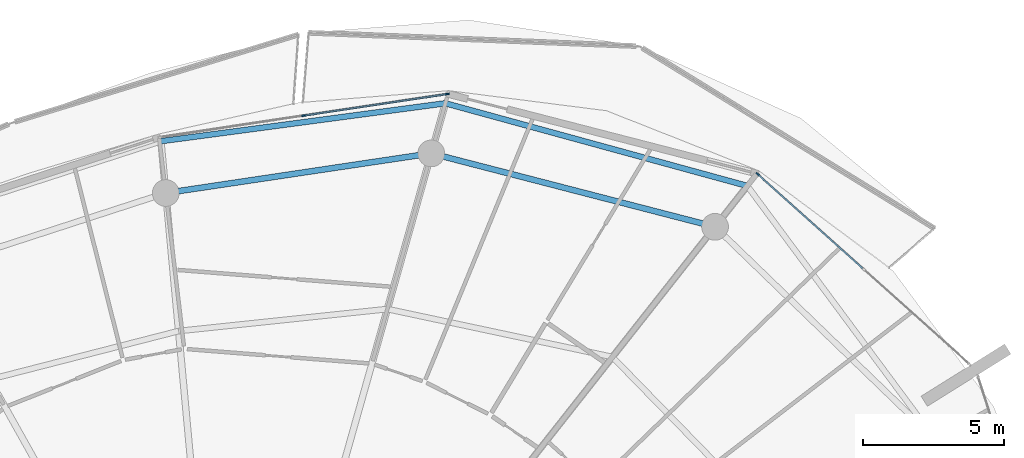
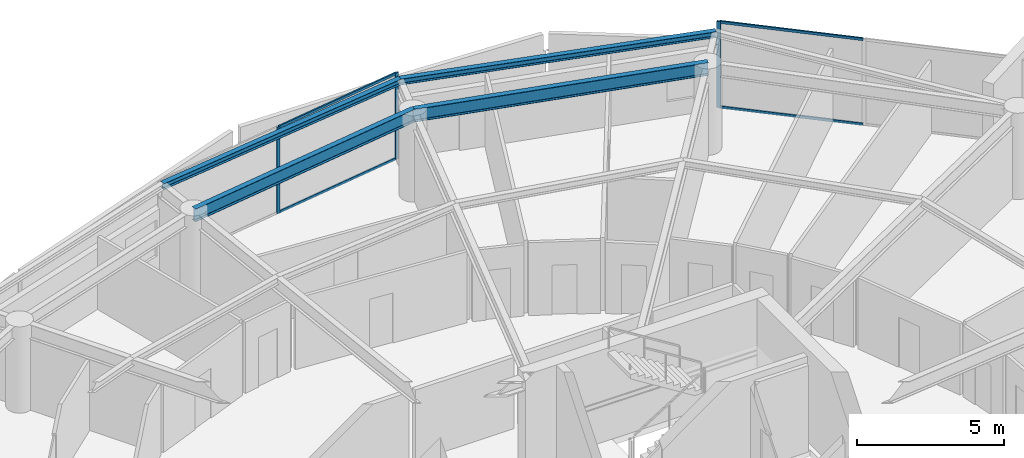
# One storey, part 15 of 29: 7 members, 4 beams, 2 elements without a shape of their own.
"""IFC4 building model written with IfcOpenShell, lengths in metres."""

from ifc_helpers import new_model, si_unit, direction, frame, origin, origin_2d, place, context, subcontext, project, spatial, rectangle, i_section, extrude, material, layer, layer_set, material_profile, profile_set, type_object, element, aggregate, save


model = new_model("IFC4")

# Units and contexts
model_context = context("Model", 3, precision=1e-05, world=origin(), true_north=direction((0.0, 1.0)))
body_context = subcontext(model_context, "Body", "Model", "MODEL_VIEW")
ifc_project = project(units=[si_unit("LENGTHUNIT", "METRE"), si_unit("AREAUNIT", "SQUARE_METRE"), si_unit("VOLUMEUNIT", "CUBIC_METRE"), si_unit("PLANEANGLEUNIT", "RADIAN"), si_unit("MASSUNIT", "GRAM", prefix="KILO")], contexts=[model_context])

# Site, building, storey
site_placement = place(None, origin())
site = spatial("IfcSite", under=ifc_project, at=site_placement, CompositionType="ELEMENT")
building_placement = place(site_placement, origin())
building = spatial("IfcBuilding", under=site, at=building_placement, Name="Kazma Halo Residences", CompositionType="ELEMENT")
storey_placement = place(building_placement, frame((0.0, 0.0, 286.75)))
storey = spatial("IfcBuildingStorey", under=building, at=storey_placement, Name="L72", CompositionType="ELEMENT", Elevation=286.75)

# Beams
ifc_material_1 = material(Name="Steel S355", Category="steel")
ifc_material_profile_1 = material_profile(ifc_material_1, i_section(OverallWidth=0.201904296875, OverallDepth=0.2470703125, WebThickness=0.00732421875, FlangeThickness=0.010986328125, FilletRadius=0.011962890625, at=origin_2d()), Name="W250x49.1")
ifc_profile_set_1 = profile_set([ifc_material_profile_1], Name="Steel S355")
beam_type_1 = type_object("IfcBeamType", Name="BM-BAL-CANT", PredefinedType="BEAM", material=ifc_profile_set_1)
beam_1_placement = place(storey_placement, frame((65.992431640625, 64.823486328125, 3.466552734375), z_axis=(-0.964514665976, 0.264029277006, 0.0), x_axis=(-0.264029277006, -0.964514665976, 0.0)))
element("IfcBeam", 1, at=beam_1_placement, inside=storey, type_object=beam_type_1, Name="L72 wave-balcony tie beam 02", PredefinedType="BEAM", context=body_context, shape_type="SweptSolid", body=[
    extrude(i_section(OverallWidth=0.201904296875, OverallDepth=0.2470703125, WebThickness=0.00732421875, FlangeThickness=0.010986328125, FilletRadius=0.011962890625, at=origin_2d()), origin(), (0.0, 0.0, 1.0), 11.1220703125),
])
beam_2_placement = place(storey_placement, frame((55.26513671875, 67.760009765625, 3.466552734375), z_axis=(-0.991234590706, -0.132113535217, 0.0), x_axis=(0.132113535217, -0.991234590706, 0.0)))
element("IfcBeam", 2, at=beam_2_placement, inside=storey, type_object=beam_type_1, Name="L72 wave-balcony tie beam 03", PredefinedType="BEAM", context=body_context, shape_type="SweptSolid", body=[
    extrude(i_section(OverallWidth=0.201904296875, OverallDepth=0.2470703125, WebThickness=0.00732421875, FlangeThickness=0.010986328125, FilletRadius=0.011962890625, at=origin_2d()), origin(), (0.0, 0.0, 1.0), 10.197021484375),
])
ifc_material_profile_2 = material_profile(ifc_material_1, i_section(OverallWidth=0.208984375, OverallDepth=0.532958984375, WebThickness=0.01025390625, FlangeThickness=0.015625, FilletRadius=0.01611328125, at=origin_2d()), Name="W530x92")
ifc_profile_set_2 = profile_set([ifc_material_profile_2], Name="Steel S355")
beam_type_2 = type_object("IfcBeamType", Name="BM-SPN-W530", PredefinedType="BEAM", material=ifc_profile_set_2)
beam_3_placement = place(storey_placement, frame((64.84716796875, 63.37060546875, 3.323486328125), z_axis=(-0.968126042852, 0.250463500639, 0.0), x_axis=(-0.250463500639, -0.968126042852, 0.0)))
element("IfcBeam", 3, at=beam_3_placement, inside=storey, type_object=beam_type_2, Name="L72 perimeter ring beam 02", PredefinedType="BEAM", context=body_context, shape_type="SweptSolid", body=[
    extrude(i_section(OverallWidth=0.208984375, OverallDepth=0.532958984375, WebThickness=0.01025390625, FlangeThickness=0.015625, FilletRadius=0.01611328125, at=origin_2d()), origin(), (0.0, 0.0, 1.0), 10.416259765625),
])
beam_4_placement = place(storey_placement, frame((54.762939453125, 65.9794921875, 3.323486328125), z_axis=(-0.989035441627, -0.147678350495, 0.0), x_axis=(0.147678350495, -0.989035441627, 0.0)))
element("IfcBeam", 4, at=beam_4_placement, inside=storey, type_object=beam_type_2, Name="L72 perimeter ring beam 03", PredefinedType="BEAM", context=body_context, shape_type="SweptSolid", body=[
    extrude(i_section(OverallWidth=0.208984375, OverallDepth=0.532958984375, WebThickness=0.01025390625, FlangeThickness=0.015625, FilletRadius=0.01611328125, at=origin_2d()), origin(), (0.0, 0.0, 1.0), 9.538818359375),
])

# Curtain wall, member
ifc_material_2 = material(Name="Aluminium AW-6063 T6 and Triple-Silver Low-E Glass", Category="aluminium")
ifc_layer = layer(ifc_material_2, 0.139892578125)
ifc_layer_set = layer_set([ifc_layer], Name="Aluminium AW-6063 T6 and Triple-Silver Low-E Glass")
curtain_wall_type = type_object("IfcCurtainWallType", Name="CW-SYS-5", PredefinedType="NOTDEFINED", material=ifc_layer_set)
curtain_wall_1_placement = place(storey_placement, origin())
curtain_wall_1 = element("IfcCurtainWall", 5, at=curtain_wall_1_placement, inside=storey, type_object=curtain_wall_type, Name="L72 unitised curtain wall B01", PredefinedType="NOTDEFINED")
ifc_material_3 = material(Name="Aluminium AW-6063 T6", Category="aluminium")
ifc_material_profile_3 = material_profile(ifc_material_3, rectangle(XDim=0.06005859375, YDim=0.139892578125, at=origin_2d()), Name="CWM-60x140")
ifc_profile_set_3 = profile_set([ifc_material_profile_3], Name="Aluminium AW-6063 T6")
member_type_1 = type_object("IfcMemberType", Name="CW-SYS-5-MUL", PredefinedType="MULLION", material=ifc_profile_set_3)
member_1_placement = place(storey_placement, frame((66.3603515625, 65.241455078125, 0.0), z_axis=(0.0, 0.0, 1.0), x_axis=(-0.667804826958, -0.744336424671, 0.0)))
member_1 = element("IfcMember", 6, at=member_1_placement, type_object=member_type_1, Name="CWS-5 mullion 3", PredefinedType="MULLION", context=body_context, shape_type="SweptSolid", body=[
    extrude(rectangle(XDim=0.06005859375, YDim=0.139892578125, at=origin_2d()), origin(), (0.0, 0.0, 1.0), 3.590087890625),
])

# Curtain wall, members
curtain_wall_2_placement = place(storey_placement, origin())
curtain_wall_2 = element("IfcCurtainWall", 7, at=curtain_wall_2_placement, inside=storey, type_object=curtain_wall_type, Name="L72 unitised curtain wall B03", PredefinedType="NOTDEFINED")
member_2_placement = place(storey_placement, frame((55.328857421875, 68.087158203125, 0.0), z_axis=(0.0, 0.0, 1.0), x_axis=(0.148697080374, -0.988882792998, 0.0)))
member_2 = element("IfcMember", 8, at=member_2_placement, type_object=member_type_1, Name="CWS-5 mullion 1", PredefinedType="MULLION", context=body_context, shape_type="SweptSolid", body=[
    extrude(rectangle(XDim=0.06005859375, YDim=0.139892578125, at=origin_2d()), origin(), (0.0, 0.0, 1.0), 3.590087890625),
])
member_3_placement = place(storey_placement, frame((50.2265625, 67.320068359375, 0.0), z_axis=(0.0, 0.0, 1.0), x_axis=(0.148697080374, -0.988882792998, 0.0)))
member_3 = element("IfcMember", 9, at=member_3_placement, type_object=member_type_1, Name="CWS-5 mullion 2", PredefinedType="MULLION", context=body_context, shape_type="SweptSolid", body=[
    extrude(rectangle(XDim=0.06005859375, YDim=0.139892578125, at=origin_2d()), origin(), (0.0, 0.0, 1.0), 3.590087890625),
])

# Member
ifc_material_profile_4 = material_profile(ifc_material_3, rectangle(XDim=0.06005859375, YDim=0.10498046875, at=origin_2d()), Name="CWT-60x105")
ifc_profile_set_4 = profile_set([ifc_material_profile_4], Name="Aluminium AW-6063 T6")
member_type_2 = type_object("IfcMemberType", Name="CW-SYS-5-TRN", PredefinedType="USERDEFINED", material=ifc_profile_set_4)
member_4_placement = place(storey_placement, frame((70.099609375, 61.88671875, 0.030029296875), z_axis=(-0.744350700793, 0.667788914425, 0.0), x_axis=(-0.667788914425, -0.744350700793, 0.0)))
member_4 = element("IfcMember", 10, at=member_4_placement, type_object=member_type_2, Name="CWS-5 transom 2.1", ObjectType="TRANSOM", PredefinedType="USERDEFINED", context=body_context, shape_type="SweptSolid", body=[
    extrude(rectangle(XDim=0.06005859375, YDim=0.10498046875, at=origin_2d()), origin(), (0.0, 0.0, 1.0), 4.99365234375),
])

member_5_placement = place(storey_placement, frame((70.099609375, 61.88671875, 3.56005859375), z_axis=(-0.744350700793, 0.667788914425, 0.0), x_axis=(-0.667788914425, -0.744350700793, 0.0)))
member_5 = element("IfcMember", 11, at=member_5_placement, type_object=member_type_2, Name="CWS-5 transom 2.2", ObjectType="TRANSOM", PredefinedType="USERDEFINED", context=body_context, shape_type="SweptSolid", body=[
    extrude(rectangle(XDim=0.06005859375, YDim=0.10498046875, at=origin_2d()), origin(), (0.0, 0.0, 1.0), 4.99365234375),
])

aggregate(curtain_wall_1, [member_1, member_4, member_5])

member_6_placement = place(storey_placement, frame((55.29931640625, 68.082763671875, 0.030029296875), z_axis=(-0.988883972013, -0.148689239341, 0.0), x_axis=(0.148689239341, -0.988883972013, 0.0)))
member_6 = element("IfcMember", 12, at=member_6_placement, type_object=member_type_2, Name="CWS-5 transom 1.1", ObjectType="TRANSOM", PredefinedType="USERDEFINED", context=body_context, shape_type="SweptSolid", body=[
    extrude(rectangle(XDim=0.06005859375, YDim=0.10498046875, at=origin_2d()), origin(), (0.0, 0.0, 1.0), 5.099853515625),
])

member_7_placement = place(storey_placement, frame((55.29931640625, 68.082763671875, 3.56005859375), z_axis=(-0.988883972013, -0.148689239341, 0.0), x_axis=(0.148689239341, -0.988883972013, 0.0)))
member_7 = element("IfcMember", 13, at=member_7_placement, type_object=member_type_2, Name="CWS-5 transom 1.2", ObjectType="TRANSOM", PredefinedType="USERDEFINED", context=body_context, shape_type="SweptSolid", body=[
    extrude(rectangle(XDim=0.06005859375, YDim=0.10498046875, at=origin_2d()), origin(), (0.0, 0.0, 1.0), 5.099853515625),
])

aggregate(curtain_wall_2, [member_2, member_3, member_6, member_7])

save(model, "model.ifc")
